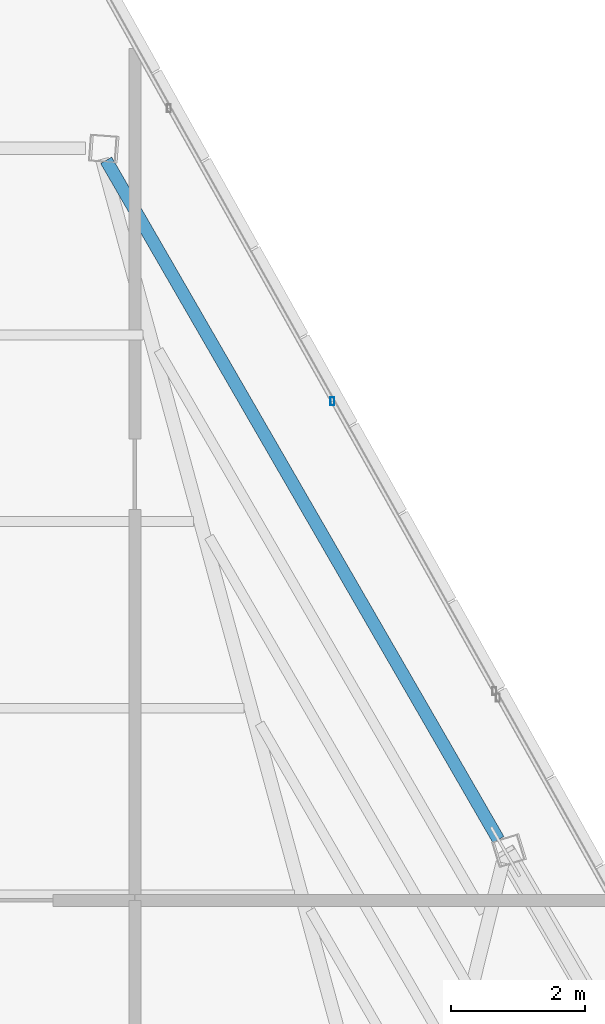
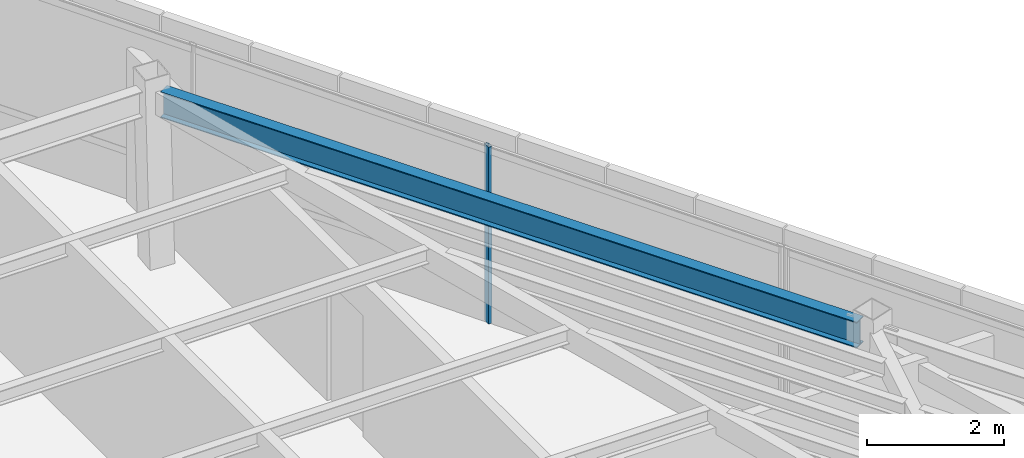
# One storey, part 35 of 44: 1 beam, 1 member, 1 element without a shape of its own.
"""IFC4 building model written with IfcOpenShell, lengths in metres."""

from ifc_helpers import new_model, si_unit, direction, frame, origin, origin_2d, place, context, subcontext, project, spatial, hollow_rectangle, i_section, extrude, source, transform, mapped, material, material_profile, profile_set, type_object, type_shapes, element, aggregate, save


model = new_model("IFC4")

# Units and contexts
model_context = context("Model", 3, precision=1e-05, world=origin(), true_north=direction((0.0, 1.0)))
body_context = subcontext(model_context, "Body", "Model", "MODEL_VIEW")
ifc_project = project(units=[si_unit("LENGTHUNIT", "METRE"), si_unit("AREAUNIT", "SQUARE_METRE"), si_unit("VOLUMEUNIT", "CUBIC_METRE"), si_unit("PLANEANGLEUNIT", "RADIAN"), si_unit("MASSUNIT", "GRAM", prefix="KILO")], contexts=[model_context])

# Site, building, storey
site_placement = place(None, origin())
site = spatial("IfcSite", under=ifc_project, at=site_placement, CompositionType="ELEMENT")
building_placement = place(site_placement, origin())
building = spatial("IfcBuilding", under=site, at=building_placement, Name="Caelisora Broadcast Tower", CompositionType="ELEMENT")
storey_placement = place(building_placement, frame((0.0, 0.0, 289.800048828125)))
storey = spatial("IfcBuildingStorey", under=building, at=storey_placement, Name="L76", CompositionType="ELEMENT", Elevation=289.800048828125)

# Beam
ifc_material_1 = material(Name="Steel Grade 350 (AS/NZS 3679.1)", Category="steel")
ifc_material_profile_1 = material_profile(ifc_material_1, i_section(OverallWidth=0.19091796875, OverallDepth=0.46044921875, WebThickness=0.010009765625, FlangeThickness=0.01611328125, at=origin_2d()), Name="Steel Grade 350 (AS/NZS 3679.1)")
ifc_profile_set_1 = profile_set([ifc_material_profile_1], Name="Steel Grade 350 (AS/NZS 3679.1)")
beam_type = type_object("IfcBeamType", Name="PG06", PredefinedType="BEAM", material=ifc_profile_set_1)
shared_shape_1 = source(origin(), body_context, "Body", "SweptSolid", [
    extrude(i_section(OverallWidth=0.19091796875, OverallDepth=0.46044921875, WebThickness=0.010009765625, FlangeThickness=0.01611328125, at=origin_2d()), origin(), (0.0, 0.0, 1.0), 11.723876953125),
])
type_shapes(beam_type, [shared_shape_1])
beam_placement = place(storey_placement, frame((46.932861328125, 36.40625, 2.919677734375), z_axis=(-0.500011469263, 0.866018781901, 0.0), x_axis=(-0.866018781901, -0.500011469263, 0.0)))
element("IfcBeam", 1, at=beam_placement, inside=storey, type_object=beam_type, Name="L76 beam PG06", PredefinedType="BEAM", context=body_context, shape_type="MappedRepresentation", body=[
    mapped(shared_shape_1, transform((0.0, 0.0, 0.0), scale=1.0)),
])

# Curtain wall, member
ifc_material_2 = material(Name="Unitised Aluminium Insulated Shadow-Box Spandrel Curtain Wall", Category="aluminium")
curtain_wall_type = type_object("IfcCurtainWallType", Name="CW-SP3", PredefinedType="NOTDEFINED", material=ifc_material_2)
curtain_wall_placement = place(storey_placement, origin())
curtain_wall = element("IfcCurtainWall", 2, at=curtain_wall_placement, inside=storey, type_object=curtain_wall_type, Name="L76 curtain wall CW-SP3", PredefinedType="NOTDEFINED")
ifc_material_3 = material(Name="Aluminium 6063-T6 Anodised Terracotta Bronze", Category="aluminium")
ifc_material_profile_2 = material_profile(ifc_material_3, hollow_rectangle(XDim=0.06005859375, YDim=0.1201171875, WallThickness=0.0029296875, at=origin_2d()), Name="Aluminium 6063-T6 Anodised Terracotta Bronze")
ifc_profile_set_2 = profile_set([ifc_material_profile_2], Name="Aluminium 6063-T6 Anodised Terracotta Bronze")
member_type = type_object("IfcMemberType", Name="CWM-04", PredefinedType="MULLION", material=ifc_profile_set_2)
shared_shape_2 = source(origin(), body_context, "Body", "SweptSolid", [
    extrude(hollow_rectangle(XDim=0.06005859375, YDim=0.1201171875, WallThickness=0.0029296875, at=origin_2d()), origin(), (0.0, 0.0, 1.0), 3.14990234375),
])
type_shapes(member_type, [shared_shape_2])
member_placement = place(storey_placement, frame((44.452880859375, 42.95849609375, 0.0), z_axis=(0.0, 0.0, 1.0), x_axis=(1.0, 0.0, 0.0)))
member = element("IfcMember", 3, at=member_placement, type_object=member_type, Name="L76-CW-B01 mullion #2", PredefinedType="MULLION", context=body_context, shape_type="MappedRepresentation", body=[
    mapped(shared_shape_2, transform((0.0, 0.0, 0.0), scale=1.0)),
])
aggregate(curtain_wall, [member])

save(model, "model.ifc")
